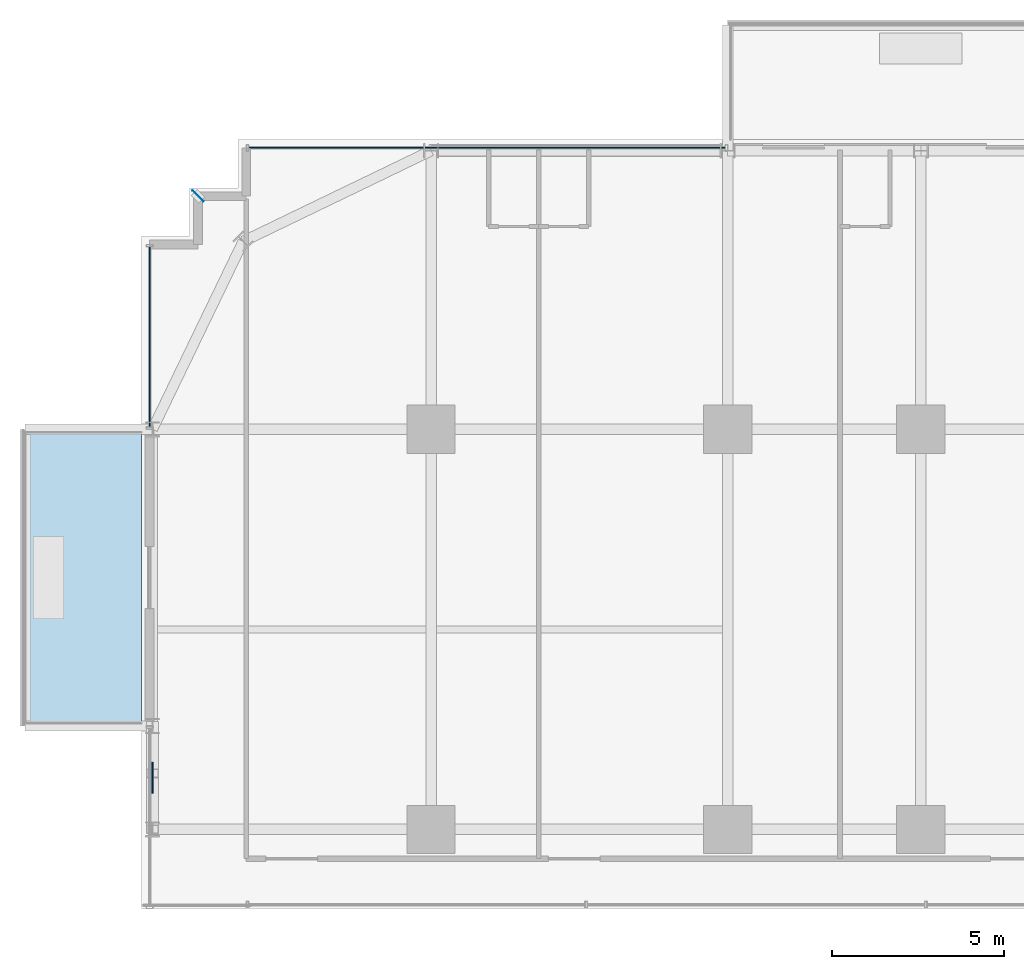
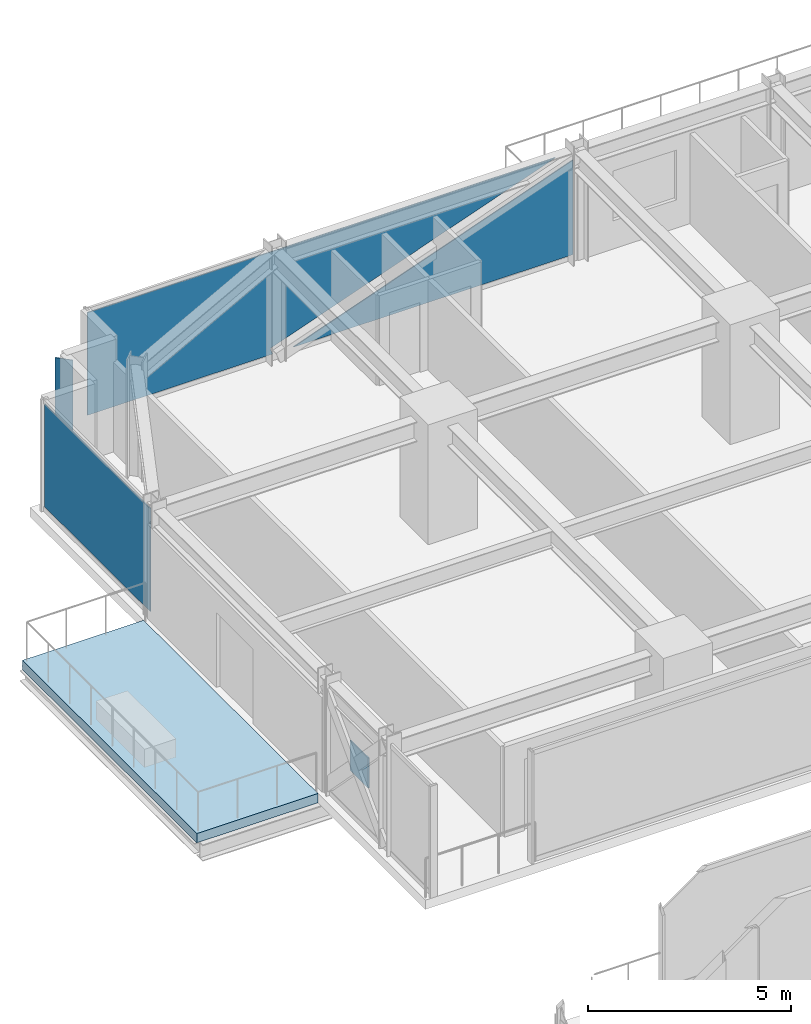
# One storey, part 33 of 43: 4 plates, 1 slab, 2 elements without a shape of their own.
"""IFC4 building model written with IfcOpenShell, lengths in metres."""

from ifc_helpers import new_model, si_unit, direction, frame, origin, origin_2d, place, context, subcontext, project, spatial, polyline, rectangle, outline, extrude, source, transform, mapped, material, layer, layer_set, type_object, element, aggregate, save


model = new_model("IFC4")

# Units and contexts
model_context = context("Model", 3, precision=1e-05, world=origin(), true_north=direction((0.0, 1.0)))
body_context = subcontext(model_context, "Body", "Model", "MODEL_VIEW")
ifc_project = project(units=[si_unit("LENGTHUNIT", "METRE"), si_unit("AREAUNIT", "SQUARE_METRE"), si_unit("VOLUMEUNIT", "CUBIC_METRE"), si_unit("PLANEANGLEUNIT", "RADIAN"), si_unit("MASSUNIT", "GRAM", prefix="KILO")], contexts=[model_context])

# Site, building, storey
site_placement = place(None, origin())
site = spatial("IfcSite", under=ifc_project, at=site_placement, CompositionType="ELEMENT")
building_placement = place(site_placement, origin())
building = spatial("IfcBuilding", under=site, at=building_placement, Name="Nahalor Promenade Grand Hotel", CompositionType="ELEMENT")
storey_placement = place(building_placement, frame((0.0, 0.0, 47.0)))
storey = spatial("IfcBuildingStorey", under=building, at=storey_placement, Name="L10", CompositionType="ELEMENT", Elevation=47.0)

# Curtain wall, plate
ifc_material_1 = material(Name="Anodised Bronze Aluminium EN AW-6063 T6", Category="aluminium")
curtain_wall_type = type_object("IfcCurtainWallType", Name="CW3 Elliptical-Void Collar Unitised Curtain Wall", PredefinedType="USERDEFINED", material=ifc_material_1)
curtain_wall_1_placement = place(storey_placement, origin())
curtain_wall_1 = element("IfcCurtainWall", 1, at=curtain_wall_1_placement, inside=storey, type_object=curtain_wall_type, Name="L10 Curtain Wall CW-L10-N-1", ObjectType="UNITISED_CURTAIN_WALL", PredefinedType="USERDEFINED")
ifc_material_2 = material(Name="Low-E Laminated Solar Glass", Category="glass")
ifc_layer_1 = layer(ifc_material_2, 0.030029296875)
ifc_layer_set_1 = layer_set([ifc_layer_1], Name="Low-E Laminated Solar Glass")
plate_type_1 = type_object("IfcPlateType", Name="CWP3 High-Wind Laminated Bronze IGU 30mm", PredefinedType="CURTAIN_PANEL", material=ifc_layer_set_1)
plate_1_placement = place(storey_placement, frame((-15.3798828125, 25.159912109375, 0.14013671875), z_axis=(0.0, 0.0, 1.0), x_axis=(1.0, 0.0, 0.0)))
plate_1 = element("IfcPlate", 2, at=plate_1_placement, type_object=plate_type_1, Name="CW-L10-N-1 Glazing Panel 0-0", PredefinedType="CURTAIN_PANEL", context=body_context, shape_type="SweptSolid", body=[
    extrude(outline(polyline([(-6.909912109375, 3.090087890625), (-6.909912109375, 0.0), (-1.64306640625, 0.0), (-1.710693359375, 0.18994140625), (6.4130859375, 3.090087890625), (-6.909912109375, 3.090087890625)])), frame((0.0, 0.01513671875, 0.0), z_axis=(0.0, -1.0, 0.0), x_axis=(1.0, 0.0, 0.0)), (0.0, 0.0, 1.0), 0.030029296875),
    extrude(outline(polyline([(-1.05322265625, 0.0), (6.909912109375, 0.0), (6.909912109375, 2.842529296875), (-1.05322265625, 0.0)])), frame((0.0, 0.01513671875, 0.0), z_axis=(0.0, -1.0, 0.0), x_axis=(1.0, 0.0, 0.0)), (0.0, 0.0, 1.0), 0.030029296875),
])
aggregate(curtain_wall_1, [plate_1])

# Slab
ifc_material_3 = material(Name="Concrete B-50 (C40/50)", Category="concrete")
ifc_layer_2 = layer(ifc_material_3, 0.280029296875)
ifc_layer_set_2 = layer_set([ifc_layer_2], Name="Concrete B-50 (C40/50)")
slab_type = type_object("IfcSlabType", Name="Slab-Balcony-280", PredefinedType="FLOOR", material=ifc_layer_set_2)
slab_placement = place(storey_placement, frame((0.0, 0.0, -0.280029296875)))
element("IfcSlab", 3, at=slab_placement, inside=storey, type_object=slab_type, Name="L10 Cantilevered Planted Balcony 2", PredefinedType="FLOOR", context=body_context, shape_type="SweptSolid", body=[
    extrude(outline(polyline([(-28.85009765625, 8.39990234375), (-25.39990234375, 8.39990234375), (-25.39990234375, 17.0), (-28.85009765625, 17.0), (-28.85009765625, 8.39990234375)])), origin(), (0.0, 0.0, 1.0), 0.280029296875),
])

# Plate
ifc_material_4 = material(Name="Steel S355J2", Category="steel")
ifc_layer_3 = layer(ifc_material_4, 0.035888671875)
ifc_layer_set_3 = layer_set([ifc_layer_3], Name="Steel S355J2")
plate_type_2 = type_object("IfcPlateType", Name="Plate-CrossGusset-36", PredefinedType="USERDEFINED", material=ifc_layer_set_3)
shared_shape_1 = source(origin(), body_context, "Body", "SweptSolid", [
    extrude(rectangle(XDim=0.89990234375, YDim=0.035888671875, at=origin_2d()), origin(), (0.0, 0.0, 1.0), 0.89990234375),
])
plate_2_placement = place(storey_placement, frame((-25.080078125, 6.89990234375, 1.235107421875), z_axis=(0.0, 0.0, 1.0), x_axis=(0.0, 1.0, 0.0)))
element("IfcPlate", 4, at=plate_2_placement, inside=storey, type_object=plate_type_2, Name="PL-L10-VXX-W1", ObjectType="GUSSET_PLATE", PredefinedType="USERDEFINED", context=body_context, shape_type="MappedRepresentation", body=[
    mapped(shared_shape_1, transform((0.0, 0.0, 0.0), scale=1.0)),
])

# Curtain wall, plate
curtain_wall_2_placement = place(storey_placement, origin())
curtain_wall_2 = element("IfcCurtainWall", 5, at=curtain_wall_2_placement, inside=storey, type_object=curtain_wall_type, Name="L10 Curtain Wall CW-L10-W-4", ObjectType="UNITISED_CURTAIN_WALL", PredefinedType="USERDEFINED")
shared_shape_2 = source(origin(), body_context, "Body", "SweptSolid", [
    extrude(rectangle(XDim=5.219970703125, YDim=0.030029296875, at=origin_2d()), origin(), (0.0, 0.0, 1.0), 3.090087890625),
])
plate_3_placement = place(storey_placement, frame((-25.159912109375, 19.679931640625, 0.14013671875), z_axis=(0.0, 0.0, 1.0), x_axis=(0.0, 1.0, 0.0)))
plate_3 = element("IfcPlate", 6, at=plate_3_placement, type_object=plate_type_1, Name="CW-L10-W-4 Glazing Panel 0-0", PredefinedType="CURTAIN_PANEL", context=body_context, shape_type="MappedRepresentation", body=[
    mapped(shared_shape_2, transform((0.0, 0.0, 0.0), scale=1.0)),
])
aggregate(curtain_wall_2, [plate_3])

# Plate
ifc_layer_4 = layer(ifc_material_1, 0.02001953125)
ifc_layer_set_4 = layer_set([ifc_layer_4], Name="Anodised Bronze Aluminium EN AW-6063 T6")
plate_type_3 = type_object("IfcPlateType", Name="Plate-CornerFin-20", PredefinedType="SHEET", material=ifc_layer_set_4)
shared_shape_3 = source(origin(), body_context, "Body", "SweptSolid", [
    extrude(rectangle(XDim=0.449951171875, YDim=0.02001953125, at=origin_2d()), origin(), (0.0, 0.0, 1.0), 3.199951171875),
])
plate_4_placement = place(storey_placement, frame((-23.760009765625, 23.760009765625, 0.0), z_axis=(0.0, 0.0, 1.0), x_axis=(-0.707106781187, 0.707106781187, 0.0)))
element("IfcPlate", 7, at=plate_4_placement, inside=storey, type_object=plate_type_3, Name="FIN-L10-NW", PredefinedType="SHEET", context=body_context, shape_type="MappedRepresentation", body=[
    mapped(shared_shape_3, transform((0.0, 0.0, 0.0), scale=1.0)),
])

save(model, "model.ifc")
